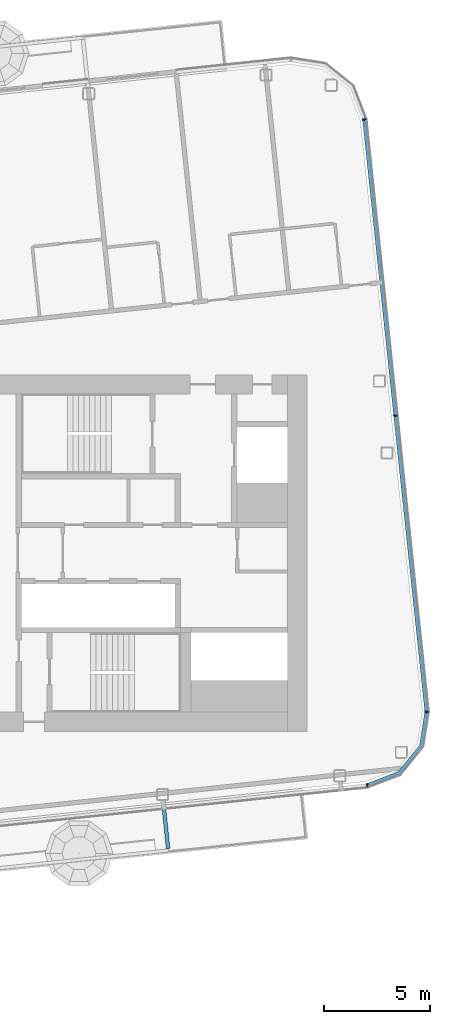
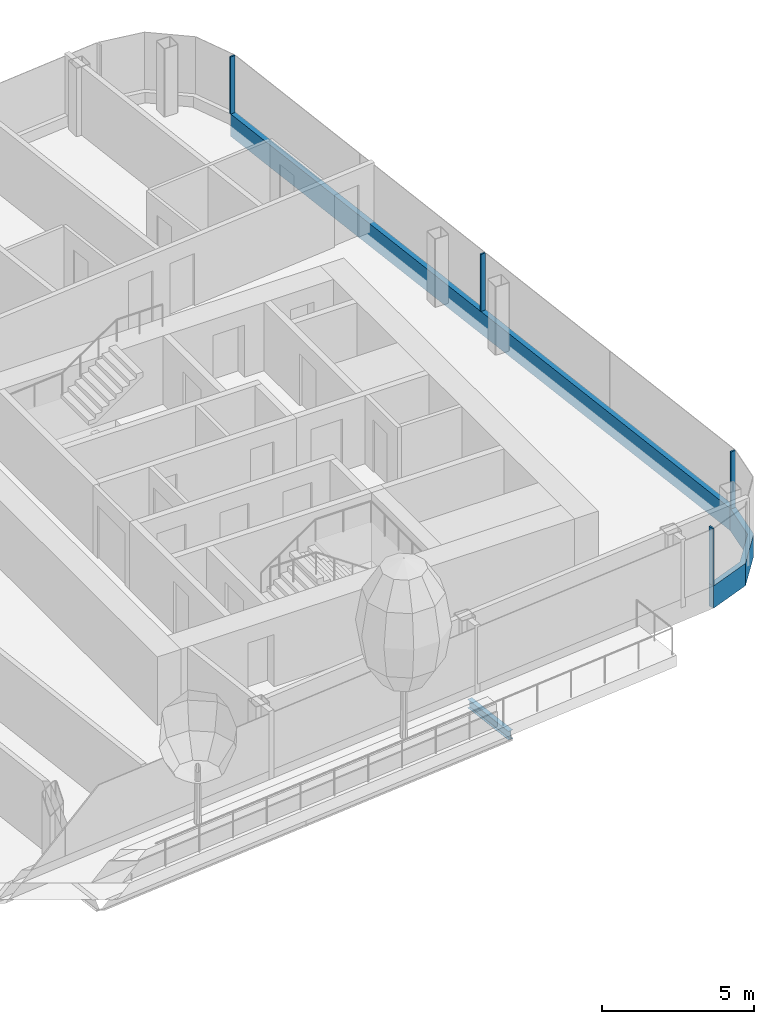
# One storey, part 9 of 30: 6 members, 1 beam, 3 elements without a shape of their own.
"""IFC4 building model written with IfcOpenShell, lengths in metres."""

from ifc_helpers import new_model, si_unit, direction, frame, origin, origin_2d, place, context, subcontext, project, spatial, polyline, rectangle, i_section, outline, extrude, material, layer, layer_set, material_profile, profile_set, type_object, element, aggregate, save


model = new_model("IFC4")

# Units and contexts
model_context = context("Model", 3, precision=1e-05, world=origin(), true_north=direction((0.0, 1.0)))
body_context = subcontext(model_context, "Body", "Model", "MODEL_VIEW")
ifc_project = project(units=[si_unit("LENGTHUNIT", "METRE"), si_unit("AREAUNIT", "SQUARE_METRE"), si_unit("VOLUMEUNIT", "CUBIC_METRE"), si_unit("PLANEANGLEUNIT", "RADIAN"), si_unit("MASSUNIT", "GRAM", prefix="KILO")], contexts=[model_context])

# Site, building, storey
site_placement = place(None, origin())
site = spatial("IfcSite", under=ifc_project, at=site_placement, CompositionType="ELEMENT")
building_placement = place(site_placement, origin())
building = spatial("IfcBuilding", under=site, at=building_placement, Name="Hakoniwa Tower and Hamabe Station Hall", CompositionType="ELEMENT")
storey_placement = place(building_placement, frame((0.0, 0.0, 245.39990234375)))
storey = spatial("IfcBuildingStorey", under=building, at=storey_placement, Name="L69", CompositionType="ELEMENT", Elevation=245.39990234375)

# Beam
ifc_material_1 = material(Name="Steel SN490B", Category="steel")
ifc_material_profile_1 = material_profile(ifc_material_1, i_section(OverallWidth=0.175048828125, OverallDepth=0.35009765625, WebThickness=0.007080078125, FlangeThickness=0.010986328125, FilletRadius=0.013916015625, at=origin_2d()), Name="H-350x175x7x11")
ifc_profile_set_1 = profile_set([ifc_material_profile_1], Name="Steel SN490B")
beam_type = type_object("IfcBeamType", Name="BALCONY BRACKET H-350x175x7x11", PredefinedType="BEAM", material=ifc_profile_set_1)
beam_placement = place(storey_placement, frame((26.825927734375, -11.6484375, -0.625), z_axis=(0.104557694553, -0.994518822602, 0.0), x_axis=(0.994518822602, 0.104557694553, 0.0)))
element("IfcBeam", 1, at=beam_placement, inside=storey, type_object=beam_type, Name="Balcony bracket B5-10-A5", PredefinedType="BEAM", context=body_context, shape_type="SweptSolid", body=[
    extrude(i_section(OverallWidth=0.175048828125, OverallDepth=0.35009765625, WebThickness=0.007080078125, FlangeThickness=0.010986328125, FilletRadius=0.013916015625, at=origin_2d()), origin(), (0.0, 0.0, 1.0), 2.300048828125),
])

# Curtain wall, member
ifc_material_2 = material(Name="Dark low-e laminated glass", Category="glass")
ifc_layer = layer(ifc_material_2, 0.199951171875)
ifc_layer_set = layer_set([ifc_layer], Name="CW-1 UNITISED GUEST")
curtain_wall_type = type_object("IfcCurtainWallType", Name="CW-1 UNITISED GUEST", PredefinedType="NOTDEFINED", material=ifc_layer_set)
curtain_wall_1_placement = place(storey_placement, origin())
curtain_wall_1 = element("IfcCurtainWall", 2, at=curtain_wall_1_placement, inside=storey, type_object=curtain_wall_type, Name="CW-1 curtain wall", PredefinedType="NOTDEFINED")
ifc_material_3 = material(Name="Aluminium 6063-T5 black anodised", Category="aluminium")
ifc_material_profile_2 = material_profile(ifc_material_3, rectangle(XDim=0.199951171875, YDim=0.89990234375, at=origin_2d()), Name="CW SLAB-EDGE BAND 900X200")
ifc_profile_set_2 = profile_set([ifc_material_profile_2], Name="Aluminium 6063-T5 black anodised")
member_type_1 = type_object("IfcMemberType", Name="CW SLAB-EDGE BAND 900X200", PredefinedType="USERDEFINED", material=ifc_profile_set_2)
member_1_placement = place(storey_placement, frame((39.25927734375, -7.490478515625, -0.099853515625), z_axis=(-0.104529086463, 0.994521829868, 0.0), x_axis=(-0.994521829868, -0.104529086463, 0.0)))
member_1 = element("IfcMember", 3, at=member_1_placement, type_object=member_type_1, Name="CW-1 transom", ObjectType="TRANSOM", PredefinedType="USERDEFINED", context=body_context, shape_type="SweptSolid", body=[
    extrude(rectangle(XDim=0.199951171875, YDim=0.89990234375, at=origin_2d()), origin(), (0.0, 0.0, 1.0), 28.078857421875),
])

curtain_wall_2_placement = place(storey_placement, origin())
curtain_wall_2 = element("IfcCurtainWall", 4, at=curtain_wall_2_placement, inside=storey, type_object=curtain_wall_type, Name="CW-1 curtain wall", PredefinedType="NOTDEFINED")
member_2_placement = place(storey_placement, frame((0.0, 0.0, -0.5498046875)))
member_2 = element("IfcMember", 5, at=member_2_placement, type_object=member_type_1, Name="CW-1 transom", ObjectType="TRANSOM", PredefinedType="USERDEFINED", context=body_context, shape_type="SweptSolid", body=[
    extrude(outline(polyline([(36.45703125, -11.0634765625), (38.0185546875, -10.464111328125), (39.09716796875, -9.13232421875), (39.35888671875, -7.47998046875), (39.161376953125, -7.44873046875), (38.907958984375, -9.048095703125), (37.89697265625, -10.296630859375), (36.38525390625, -10.876708984375), (36.45703125, -11.0634765625)])), origin(), (0.0, 0.0, 1.0), 0.89990234375),
])
aggregate(curtain_wall_2, [member_2])

# Member
ifc_material_4 = material(Name="Aluminium 6063-T5 black anodised", Category="aluminium")
ifc_material_profile_3 = material_profile(ifc_material_4, rectangle(XDim=0.06005859375, YDim=0.179931640625, at=origin_2d()), Name="CW-1 MULLION 60X180")
ifc_profile_set_3 = profile_set([ifc_material_profile_3], Name="Aluminium 6063-T5 black anodised")
member_type_2 = type_object("IfcMemberType", Name="CW-1 MULLION 60X180", PredefinedType="MULLION", material=ifc_profile_set_3)
member_3_placement = place(storey_placement, frame((39.241455078125, -7.492431640625, 0.35009765625), z_axis=(0.0, 0.0, 1.0), x_axis=(-0.104528468631, 0.994521894805, 0.0)))
member_3 = element("IfcMember", 6, at=member_3_placement, type_object=member_type_2, Name="CW-1 mullion", PredefinedType="MULLION", context=body_context, shape_type="SweptSolid", body=[
    extrude(rectangle(XDim=0.06005859375, YDim=0.179931640625, at=origin_2d()), origin(), (0.0, 0.0, 1.0), 2.300048828125),
])

member_4_placement = place(storey_placement, frame((37.77392578125, 6.47021484375, 0.35009765625), z_axis=(0.0, 0.0, 1.0), x_axis=(-0.104528468631, 0.994521894805, 0.0)))
member_4 = element("IfcMember", 7, at=member_4_placement, type_object=member_type_2, Name="CW-1 mullion", PredefinedType="MULLION", context=body_context, shape_type="SweptSolid", body=[
    extrude(rectangle(XDim=0.06005859375, YDim=0.179931640625, at=origin_2d()), origin(), (0.0, 0.0, 1.0), 2.300048828125),
])

member_5_placement = place(storey_placement, frame((36.306396484375, 20.432861328125, 0.35009765625), z_axis=(0.0, 0.0, 1.0), x_axis=(-0.104528468631, 0.994521894805, 0.0)))
member_5 = element("IfcMember", 8, at=member_5_placement, type_object=member_type_2, Name="CW-1 mullion", PredefinedType="MULLION", context=body_context, shape_type="SweptSolid", body=[
    extrude(rectangle(XDim=0.06005859375, YDim=0.179931640625, at=origin_2d()), origin(), (0.0, 0.0, 1.0), 2.300048828125),
])

aggregate(curtain_wall_1, [member_3, member_4, member_5, member_1])

# Curtain wall, member
curtain_wall_3_placement = place(storey_placement, origin())
curtain_wall_3 = element("IfcCurtainWall", 9, at=curtain_wall_3_placement, inside=storey, type_object=curtain_wall_type, Name="CW-1 curtain wall", PredefinedType="NOTDEFINED")
member_6_placement = place(storey_placement, frame((36.444580078125, -10.946044921875, 0.35009765625), z_axis=(0.0, 0.0, 1.0), x_axis=(0.994521895272, 0.104528464188, 0.0)))
member_6 = element("IfcMember", 10, at=member_6_placement, type_object=member_type_2, Name="CW-1 mullion", PredefinedType="MULLION", context=body_context, shape_type="SweptSolid", body=[
    extrude(rectangle(XDim=0.06005859375, YDim=0.179931640625, at=origin_2d()), origin(), (0.0, 0.0, 1.0), 2.300048828125),
])
aggregate(curtain_wall_3, [member_6])

save(model, "model.ifc")
